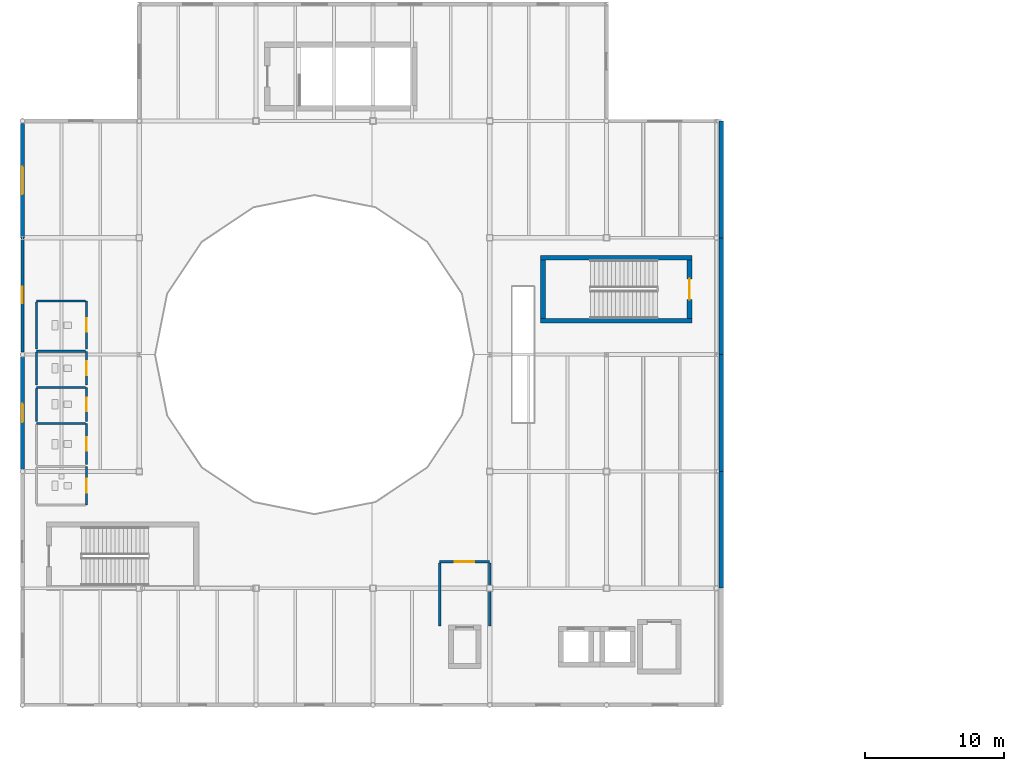
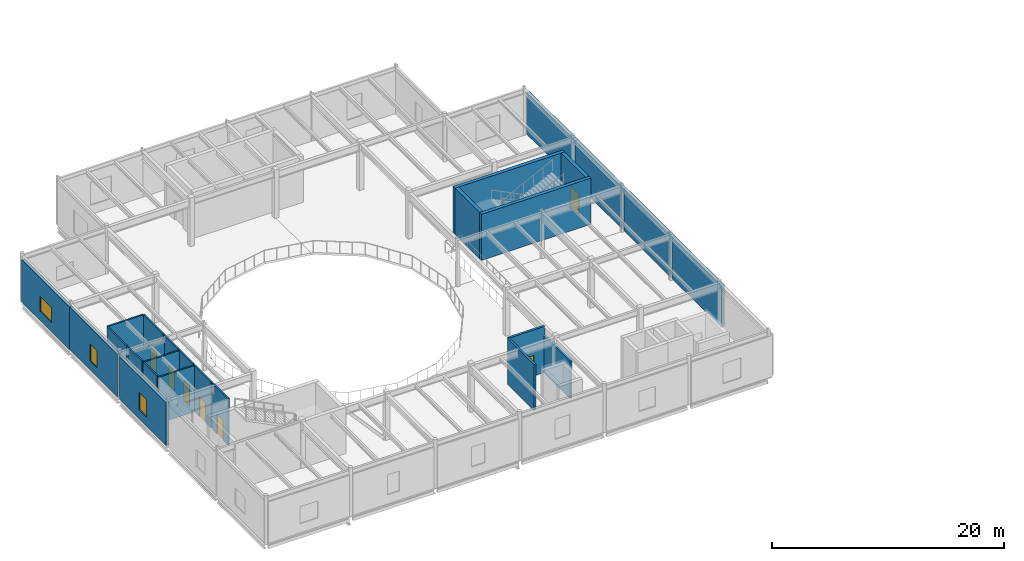
# One storey, part 33 of 57: 26 walls, 7 doors, 3 windows, 10 openings.
"""IFC4 building model written with IfcOpenShell, lengths in metres."""

from ifc_helpers import new_model, si_unit, direction, frame, frame_2d, origin, place, context, subcontext, project, spatial, rectangle, extrude, material, layer, layer_set, type_object, element, fill, save


model = new_model("IFC4")

# Units and contexts
model_context = context("Model", 3, precision=1e-05, world=origin(), true_north=direction((0.0, 1.0)))
body_context = subcontext(model_context, "Body", "Model", "MODEL_VIEW")
ifc_project = project(units=[si_unit("LENGTHUNIT", "METRE"), si_unit("AREAUNIT", "SQUARE_METRE"), si_unit("VOLUMEUNIT", "CUBIC_METRE"), si_unit("PLANEANGLEUNIT", "RADIAN"), si_unit("MASSUNIT", "GRAM", prefix="KILO"), si_unit("THERMODYNAMICTEMPERATUREUNIT", "KELVIN")], contexts=[model_context])

# Site, building, storey
site_placement = place(None, origin())
site = spatial("IfcSite", under=ifc_project, at=site_placement, CompositionType="ELEMENT")
building_placement = place(site_placement, origin())
building = spatial("IfcBuilding", under=site, at=building_placement, Name="Lustrewick Department Store", CompositionType="ELEMENT")
storey_placement = place(building_placement, frame((0.0, 0.0, 26.699951171875)))
storey = spatial("IfcBuildingStorey", under=building, at=storey_placement, Name="L06", CompositionType="ELEMENT", Elevation=26.699951171875)

# Wall, opening, window
ifc_material_1 = material(Name="Precast concrete C40", Category="concrete")
ifc_layer_1 = layer(ifc_material_1, 0.239990234375, Name="Precast concrete C40")
ifc_layer_set_1 = layer_set([ifc_layer_1], Name="Precast concrete C40")
wall_type_1 = type_object("IfcWallType", Name="EW01", PredefinedType="STANDARD", material=ifc_layer_set_1)
wall_1_placement = place(storey_placement, frame((8.39990234375, 75.60009765625, 0.0), z_axis=(0.0, 0.0, 1.0), x_axis=(0.0, -1.0, 0.0)))
wall_1 = element("IfcWall", 1, at=wall_1_placement, inside=storey, type_object=wall_type_1, Name="L06 V1 Exterior Wall EW01", PredefinedType="STANDARD", context=body_context, shape_type="SweptSolid", body=[
    extrude(rectangle(XDim=8.22705078125, YDim=0.239990234375, at=frame_2d((4.113525390625, 0.0))), origin(), (0.0, 0.0, 1.0), 4.487060546875),
])
opening_1_placement = place(wall_1_placement, frame((3.513427734375, 0.0, 0.949951171875)))
opening_1 = element("IfcOpeningElement", 2, at=opening_1_placement, cuts=wall_1, Name="Opening WN01", PredefinedType="OPENING", context=body_context, shape_type="SweptSolid", body=[
    extrude(rectangle(XDim=1.199951171875, YDim=1.800048828125, at=frame_2d((0.60009765625, 0.89990234375))), frame((0.0, 0.1298828125, 0.0), z_axis=(0.0, -1.0, 0.0), x_axis=(1.0, 0.0, 0.0)), (0.0, 0.0, 1.0), 0.260009765625),
])
ifc_material_2 = material(Name="Thermally broken Low-E triple-glazed window", Category="glass")
window_type_1 = type_object("IfcWindowType", Name="WN01", PartitioningType="DOUBLE_PANEL_VERTICAL", PredefinedType="WINDOW", material=ifc_material_2)
window_1_placement = place(opening_1_placement, origin())
window_1 = element("IfcWindow", 3, at=window_1_placement, inside=storey, type_object=window_type_1, Name="L06 Art Nouveau Window WN01", OverallHeight=1.800048828125, OverallWidth=1.199951171875, PartitioningType="SINGLE_PANEL", PredefinedType="WINDOW", context=body_context, shape_type="SweptSolid", body=[
    extrude(rectangle(XDim=1.199951171875, YDim=1.800048828125, at=frame_2d((0.60009765625, 0.89990234375))), frame((0.0, 0.030029296875, 0.0), z_axis=(0.0, -1.0, 0.0), x_axis=(1.0, 0.0, 0.0)), (0.0, 0.0, 1.0), 0.06005859375),
])
fill(opening_1, window_1)

ifc_layer_2 = layer(ifc_material_1, 0.260009765625, Name="Precast concrete C40")
ifc_layer_set_2 = layer_set([ifc_layer_2], Name="Precast concrete C40")
wall_type_2 = type_object("IfcWallType", Name="EW02", PredefinedType="STANDARD", material=ifc_layer_set_2)
wall_2_placement = place(storey_placement, frame((8.39990234375, 67.027099609375, 0.0), z_axis=(0.0, 0.0, 1.0), x_axis=(0.0, -1.0, 0.0)))
wall_2 = element("IfcWall", 4, at=wall_2_placement, inside=storey, type_object=wall_type_2, Name="L06 V1 Exterior Wall EW02", PredefinedType="STANDARD", context=body_context, shape_type="SweptSolid", body=[
    extrude(rectangle(XDim=8.05419921875, YDim=0.260009765625, at=frame_2d((4.027099609375, 0.0))), origin(), (0.0, 0.0, 1.0), 4.487060546875),
])
opening_2_placement = place(wall_2_placement, frame((3.35205078125, 0.0, 0.949951171875)))
opening_2 = element("IfcOpeningElement", 5, at=opening_2_placement, cuts=wall_2, Name="Opening WN02", PredefinedType="OPENING", context=body_context, shape_type="SweptSolid", body=[
    extrude(rectangle(XDim=1.35009765625, YDim=1.800048828125, at=frame_2d((0.675048828125, 0.89990234375))), frame((0.0, 0.14013671875, 0.0), z_axis=(0.0, -1.0, 0.0), x_axis=(1.0, 0.0, 0.0)), (0.0, 0.0, 1.0), 0.280029296875),
])
window_type_2 = type_object("IfcWindowType", Name="WN02", PartitioningType="DOUBLE_PANEL_VERTICAL", PredefinedType="WINDOW", material=ifc_material_2)
window_2_placement = place(opening_2_placement, origin())
window_2 = element("IfcWindow", 6, at=window_2_placement, inside=storey, type_object=window_type_2, Name="L06 Art Nouveau Window WN02", OverallHeight=1.800048828125, OverallWidth=1.35009765625, PartitioningType="SINGLE_PANEL", PredefinedType="WINDOW", context=body_context, shape_type="SweptSolid", body=[
    extrude(rectangle(XDim=1.35009765625, YDim=1.800048828125, at=frame_2d((0.675048828125, 0.89990234375))), frame((0.0, 0.030029296875, 0.0), z_axis=(0.0, -1.0, 0.0), x_axis=(1.0, 0.0, 0.0)), (0.0, 0.0, 1.0), 0.06005859375),
])
fill(opening_2, window_2)

ifc_layer_3 = layer(ifc_material_1, 0.280029296875, Name="Precast concrete C40")
ifc_layer_set_3 = layer_set([ifc_layer_3], Name="Precast concrete C40")
wall_type_3 = type_object("IfcWallType", Name="EW03", PredefinedType="STANDARD", material=ifc_layer_set_3)
wall_3_placement = place(storey_placement, frame((8.39990234375, 83.826904296875, 0.0), z_axis=(0.0, 0.0, 1.0), x_axis=(0.0, -1.0, 0.0)))
wall_3 = element("IfcWall", 7, at=wall_3_placement, inside=storey, type_object=wall_type_3, Name="L06 V1 Exterior Wall EW03", PredefinedType="STANDARD", context=body_context, shape_type="SweptSolid", body=[
    extrude(rectangle(XDim=8.226806640625, YDim=0.280029296875, at=frame_2d((4.11328125, 0.0))), origin(), (0.0, 0.0, 1.0), 4.487060546875),
])
opening_3_placement = place(wall_3_placement, frame((3.113525390625, 0.0, 0.949951171875)))
opening_3 = element("IfcOpeningElement", 8, at=opening_3_placement, cuts=wall_3, Name="Opening WN20", PredefinedType="OPENING", context=body_context, shape_type="SweptSolid", body=[
    extrude(rectangle(XDim=2.0, YDim=1.60009765625, at=frame_2d((1.0, 0.800048828125))), frame((0.0, 0.14990234375, 0.0), z_axis=(0.0, -1.0, 0.0), x_axis=(1.0, 0.0, 0.0)), (0.0, 0.0, 1.0), 0.300048828125),
])
window_type_3 = type_object("IfcWindowType", Name="WN20", PartitioningType="DOUBLE_PANEL_VERTICAL", PredefinedType="WINDOW", material=ifc_material_2)
window_3_placement = place(opening_3_placement, origin())
window_3 = element("IfcWindow", 9, at=window_3_placement, inside=storey, type_object=window_type_3, Name="L06 Art Nouveau Window WN20", OverallHeight=1.60009765625, OverallWidth=2.0, PartitioningType="SINGLE_PANEL", PredefinedType="WINDOW", context=body_context, shape_type="SweptSolid", body=[
    extrude(rectangle(XDim=2.0, YDim=1.60009765625, at=frame_2d((1.0, 0.800048828125))), frame((0.0, 0.030029296875, 0.0), z_axis=(0.0, -1.0, 0.0), x_axis=(1.0, 0.0, 0.0)), (0.0, 0.0, 1.0), 0.06005859375),
])
fill(opening_3, window_3)

# Walls
ifc_layer_4 = layer(ifc_material_1, 0.300048828125, Name="Precast concrete C40")
ifc_layer_set_4 = layer_set([ifc_layer_4], Name="Precast concrete C40")
wall_type_4 = type_object("IfcWallType", Name="EW04", PredefinedType="STANDARD", material=ifc_layer_set_4)
wall_4_placement = place(storey_placement, frame((58.64990234375, 50.39990234375, 0.0), z_axis=(0.0, 0.0, 1.0), x_axis=(0.0, 1.0, 0.0)))
element("IfcWall", 10, at=wall_4_placement, inside=storey, type_object=wall_type_4, Name="L06 V1 Exterior Wall EW04", PredefinedType="STANDARD", context=body_context, shape_type="SweptSolid", body=[
    extrude(rectangle(XDim=8.400146484375, YDim=0.300048828125, at=frame_2d((4.2001953125, 0.0))), origin(), (0.0, 0.0, 1.0), 4.39697265625),
])
wall_5_placement = place(storey_placement, frame((58.64990234375, 58.800048828125, 0.0), z_axis=(0.0, 0.0, 1.0), x_axis=(0.0, 1.0, 0.0)))
element("IfcWall", 11, at=wall_5_placement, inside=storey, type_object=wall_type_4, Name="L06 V1 Exterior Wall EW04", PredefinedType="STANDARD", context=body_context, shape_type="SweptSolid", body=[
    extrude(rectangle(XDim=8.39990234375, YDim=0.300048828125, at=frame_2d((4.199951171875, 0.0))), origin(), (0.0, 0.0, 1.0), 4.39697265625),
])
wall_6_placement = place(storey_placement, frame((58.64990234375, 67.199951171875, 0.0), z_axis=(0.0, 0.0, 1.0), x_axis=(0.0, 1.0, 0.0)))
element("IfcWall", 12, at=wall_6_placement, inside=storey, type_object=wall_type_4, Name="L06 V1 Exterior Wall EW04", PredefinedType="STANDARD", context=body_context, shape_type="SweptSolid", body=[
    extrude(rectangle(XDim=8.400146484375, YDim=0.300048828125, at=frame_2d((4.2001953125, 0.0))), origin(), (0.0, 0.0, 1.0), 4.39697265625),
])
wall_7_placement = place(storey_placement, frame((58.64990234375, 75.60009765625, 0.0), z_axis=(0.0, 0.0, 1.0), x_axis=(0.0, 1.0, 0.0)))
element("IfcWall", 13, at=wall_7_placement, inside=storey, type_object=wall_type_4, Name="L06 V1 Exterior Wall EW04", PredefinedType="STANDARD", context=body_context, shape_type="SweptSolid", body=[
    extrude(rectangle(XDim=8.39990234375, YDim=0.300048828125, at=frame_2d((4.199951171875, 0.0))), origin(), (0.0, 0.0, 1.0), 4.39697265625),
])

# Wall, opening, door
ifc_material_3 = material(Name="Autoclaved aerated concrete blockwork and fire board", Category="masonry")
ifc_layer_5 = layer(ifc_material_3, 0.205078125, Name="Autoclaved aerated concrete blockwork and fire board")
ifc_layer_set_5 = layer_set([ifc_layer_5], Name="Autoclaved aerated concrete blockwork and fire board")
wall_type_5 = type_object("IfcWallType", Name="PW02", PredefinedType="PARTITIONING", material=ifc_layer_set_5)
wall_8_placement = place(storey_placement, frame((42.0, 52.300048828125, 0.0), z_axis=(0.0, 0.0, 1.0), x_axis=(-1.0, 0.0, 0.0)))
wall_8 = element("IfcWall", 14, at=wall_8_placement, inside=storey, type_object=wall_type_5, Name="L06 Firefighting Lift Lobby FFL-01 PW02", PredefinedType="PARTITIONING", context=body_context, shape_type="SweptSolid", body=[
    extrude(rectangle(XDim=3.60009765625, YDim=0.205078125, at=frame_2d((1.800048828125, 0.0))), origin(), (0.0, 0.0, 1.0), 4.844970703125),
])
opening_4_placement = place(wall_8_placement, frame((1.10009765625, 0.0, 0.0)))
opening_4 = element("IfcOpeningElement", 15, at=opening_4_placement, cuts=wall_8, Name="Opening D-L06-041", PredefinedType="OPENING", context=body_context, shape_type="SweptSolid", body=[
    extrude(rectangle(XDim=1.39990234375, YDim=2.14990234375, at=frame_2d((0.699951171875, 1.074951171875))), frame((0.0, 0.112548828125, 0.0), z_axis=(0.0, -1.0, 0.0), x_axis=(1.0, 0.0, 0.0)), (0.0, 0.0, 1.0), 0.22509765625),
])
ifc_material_4 = material(Name="Steel fire door Class B EI 60", Category="steel")
door_type_1 = type_object("IfcDoorType", Name="DT-08", OperationType="NOTDEFINED", PredefinedType="DOOR", material=ifc_material_4)
door_1_placement = place(opening_4_placement, origin())
door_1 = element("IfcDoor", 16, at=door_1_placement, inside=storey, type_object=door_type_1, Name="L06 Firefighting Lift Lobby FFL-01 Door D-L06-041", OperationType="SINGLE_SWING_RIGHT", OverallHeight=2.14990234375, OverallWidth=1.39990234375, PredefinedType="DOOR", context=body_context, shape_type="SweptSolid", body=[
    extrude(rectangle(XDim=1.39990234375, YDim=2.14990234375, at=frame_2d((0.699951171875, 1.074951171875))), frame((0.0, 0.02490234375, 0.0), z_axis=(0.0, -1.0, 0.0), x_axis=(1.0, 0.0, 0.0)), (0.0, 0.0, 1.0), 0.050048828125),
])
fill(opening_4, door_1)

# Walls
wall_9_placement = place(storey_placement, frame((42.0, 47.699951171875, 0.0), z_axis=(0.0, 0.0, 1.0), x_axis=(0.0, 1.0, 0.0)))
element("IfcWall", 17, at=wall_9_placement, inside=storey, type_object=wall_type_5, Name="L06 Firefighting Lift Lobby FFL-01 PW02", PredefinedType="PARTITIONING", context=body_context, shape_type="SweptSolid", body=[
    extrude(rectangle(XDim=4.50244140625, YDim=0.205078125, at=frame_2d((2.251220703125, 0.0))), origin(), (0.0, 0.0, 1.0), 3.93701171875),
])
wall_10_placement = place(storey_placement, frame((38.39990234375, 52.202392578125, 0.0), z_axis=(0.0, 0.0, 1.0), x_axis=(0.0, -1.0, 0.0)))
element("IfcWall", 18, at=wall_10_placement, inside=storey, type_object=wall_type_5, Name="L06 Firefighting Lift Lobby FFL-01 PW02", PredefinedType="PARTITIONING", context=body_context, shape_type="SweptSolid", body=[
    extrude(rectangle(XDim=4.50244140625, YDim=0.205078125, at=frame_2d((2.251220703125, 0.0))), origin(), (0.0, 0.0, 1.0), 4.844970703125),
])

# Wall, opening, door
ifc_material_5 = material(Name="Moisture-resistant cement board sanitary partition", Category="gypsum")
ifc_layer_6 = layer(ifc_material_5, 0.14990234375, Name="Moisture-resistant cement board sanitary partition")
ifc_layer_set_6 = layer_set([ifc_layer_6], Name="Moisture-resistant cement board sanitary partition")
wall_type_6 = type_object("IfcWallType", Name="PW05", PredefinedType="PARTITIONING", material=ifc_layer_set_6)
wall_11_placement = place(storey_placement, frame((13.0, 56.39990234375, 0.0), z_axis=(0.0, 0.0, 1.0), x_axis=(0.0, 1.0, 0.0)))
wall_11 = element("IfcWall", 19, at=wall_11_placement, inside=storey, type_object=wall_type_6, Name="L06 Male Public WC PW05", PredefinedType="PARTITIONING", context=body_context, shape_type="SweptSolid", body=[
    extrude(rectangle(XDim=2.739990234375, YDim=0.14990234375, at=frame_2d((1.3701171875, 0.0))), origin(), (0.0, 0.0, 1.0), 4.844970703125),
])
opening_5_placement = place(wall_11_placement, frame((0.8701171875, 0.0, 0.0)))
opening_5 = element("IfcOpeningElement", 20, at=opening_5_placement, cuts=wall_11, Name="Opening D-L06-042", PredefinedType="OPENING", context=body_context, shape_type="SweptSolid", body=[
    extrude(rectangle(XDim=1.0, YDim=2.10009765625, at=frame_2d((0.5, 1.050048828125))), frame((0.0, 0.0849609375, 0.0), z_axis=(0.0, -1.0, 0.0), x_axis=(1.0, 0.0, 0.0)), (0.0, 0.0, 1.0), 0.169921875),
])
ifc_material_6 = material(Name="Moisture-resistant laminate sanitary door", Category="steel")
door_type_2 = type_object("IfcDoorType", Name="DT-11", OperationType="NOTDEFINED", PredefinedType="DOOR", material=ifc_material_6)
door_2_placement = place(opening_5_placement, origin())
door_2 = element("IfcDoor", 21, at=door_2_placement, inside=storey, type_object=door_type_2, Name="L06 Male Public WC Door D-L06-042", OperationType="SINGLE_SWING_LEFT", OverallHeight=2.10009765625, OverallWidth=1.0, PredefinedType="DOOR", context=body_context, shape_type="SweptSolid", body=[
    extrude(rectangle(XDim=1.0, YDim=2.10009765625, at=frame_2d((0.5, 1.050048828125))), frame((0.0, 0.02490234375, 0.0), z_axis=(0.0, -1.0, 0.0), x_axis=(1.0, 0.0, 0.0)), (0.0, 0.0, 1.0), 0.050048828125),
])
fill(opening_5, door_2)

wall_12_placement = place(storey_placement, frame((13.0, 59.300048828125, 0.0), z_axis=(0.0, 0.0, 1.0), x_axis=(0.0, 1.0, 0.0)))
wall_12 = element("IfcWall", 22, at=wall_12_placement, inside=storey, type_object=wall_type_6, Name="L06 Female Public WC PW05", PredefinedType="PARTITIONING", context=body_context, shape_type="SweptSolid", body=[
    extrude(rectangle(XDim=2.93994140625, YDim=0.14990234375, at=frame_2d((1.469970703125, 0.0))), origin(), (0.0, 0.0, 1.0), 4.844970703125),
])
opening_6_placement = place(wall_12_placement, frame((0.969970703125, 0.0, 0.0)))
opening_6 = element("IfcOpeningElement", 23, at=opening_6_placement, cuts=wall_12, Name="Opening D-L06-043", PredefinedType="OPENING", context=body_context, shape_type="SweptSolid", body=[
    extrude(rectangle(XDim=1.0, YDim=2.10009765625, at=frame_2d((0.5, 1.050048828125))), frame((0.0, 0.0849609375, 0.0), z_axis=(0.0, -1.0, 0.0), x_axis=(1.0, 0.0, 0.0)), (0.0, 0.0, 1.0), 0.169921875),
])
door_3_placement = place(opening_6_placement, origin())
door_3 = element("IfcDoor", 24, at=door_3_placement, inside=storey, type_object=door_type_2, Name="L06 Female Public WC Door D-L06-043", OperationType="SINGLE_SWING_RIGHT", OverallHeight=2.10009765625, OverallWidth=1.0, PredefinedType="DOOR", context=body_context, shape_type="SweptSolid", body=[
    extrude(rectangle(XDim=1.0, YDim=2.10009765625, at=frame_2d((0.5, 1.050048828125))), frame((0.0, 0.02490234375, 0.0), z_axis=(0.0, -1.0, 0.0), x_axis=(1.0, 0.0, 0.0)), (0.0, 0.0, 1.0), 0.050048828125),
])
fill(opening_6, door_3)

# Wall
wall_13_placement = place(storey_placement, frame((12.929931640625, 62.239990234375, 0.0), z_axis=(0.0, 0.0, 1.0), x_axis=(-1.0, 0.0, 0.0)))
element("IfcWall", 25, at=wall_13_placement, inside=storey, type_object=wall_type_6, Name="L06 Female Public WC PW05", PredefinedType="PARTITIONING", context=body_context, shape_type="SweptSolid", body=[
    extrude(rectangle(XDim=3.530029296875, YDim=0.14990234375, at=frame_2d((1.76513671875, 0.0))), origin(), (0.0, 0.0, 1.0), 4.844970703125),
])

# Wall, opening, door
wall_14_placement = place(storey_placement, frame((13.0, 62.39990234375, 0.0), z_axis=(0.0, 0.0, 1.0), x_axis=(0.0, 1.0, 0.0)))
wall_14 = element("IfcWall", 26, at=wall_14_placement, inside=storey, type_object=wall_type_6, Name="L06 Accessible WC PW05", PredefinedType="PARTITIONING", context=body_context, shape_type="SweptSolid", body=[
    extrude(rectangle(XDim=2.440185546875, YDim=0.14990234375, at=frame_2d((1.22021484375, 0.0))), origin(), (0.0, 0.0, 1.0), 4.844970703125),
])
opening_7_placement = place(wall_14_placement, frame((0.72998046875, 0.0, 0.0)))
opening_7 = element("IfcOpeningElement", 27, at=opening_7_placement, cuts=wall_14, Name="Opening D-L06-044", PredefinedType="OPENING", context=body_context, shape_type="SweptSolid", body=[
    extrude(rectangle(XDim=0.97998046875, YDim=2.10009765625, at=frame_2d((0.489990234375, 1.050048828125))), frame((0.0, 0.0849609375, 0.0), z_axis=(0.0, -1.0, 0.0), x_axis=(1.0, 0.0, 0.0)), (0.0, 0.0, 1.0), 0.169921875),
])
ifc_material_7 = material(Name="Barrier-free accessible sanitary door", Category="steel")
door_type_3 = type_object("IfcDoorType", Name="DT-12", OperationType="NOTDEFINED", PredefinedType="DOOR", material=ifc_material_7)
door_4_placement = place(opening_7_placement, origin())
door_4 = element("IfcDoor", 28, at=door_4_placement, inside=storey, type_object=door_type_3, Name="L06 Accessible WC Door D-L06-044", OperationType="SINGLE_SWING_LEFT", OverallHeight=2.10009765625, OverallWidth=0.97998046875, PredefinedType="DOOR", context=body_context, shape_type="SweptSolid", body=[
    extrude(rectangle(XDim=0.97998046875, YDim=2.10009765625, at=frame_2d((0.489990234375, 1.050048828125))), frame((0.0, 0.02490234375, 0.0), z_axis=(0.0, -1.0, 0.0), x_axis=(1.0, 0.0, 0.0)), (0.0, 0.0, 1.0), 0.050048828125),
])
fill(opening_7, door_4)

# Walls
wall_15_placement = place(storey_placement, frame((12.929931640625, 64.840087890625, 0.0), z_axis=(0.0, 0.0, 1.0), x_axis=(-1.0, 0.0, 0.0)))
element("IfcWall", 29, at=wall_15_placement, inside=storey, type_object=wall_type_6, Name="L06 Accessible WC PW05", PredefinedType="PARTITIONING", context=body_context, shape_type="SweptSolid", body=[
    extrude(rectangle(XDim=3.530029296875, YDim=0.14990234375, at=frame_2d((1.76513671875, 0.0))), origin(), (0.0, 0.0, 1.0), 4.844970703125),
])
wall_16_placement = place(storey_placement, frame((9.39990234375, 64.77001953125, 0.0), z_axis=(0.0, 0.0, 1.0), x_axis=(0.0, -1.0, 0.0)))
element("IfcWall", 30, at=wall_16_placement, inside=storey, type_object=wall_type_6, Name="L06 Accessible WC PW05", PredefinedType="PARTITIONING", context=body_context, shape_type="SweptSolid", body=[
    extrude(rectangle(XDim=2.3701171875, YDim=0.14990234375, at=frame_2d((1.18505859375, 0.0))), origin(), (0.0, 0.0, 1.0), 4.844970703125),
])

# Wall, opening, door
wall_17_placement = place(storey_placement, frame((13.0, 65.0, 0.0), z_axis=(0.0, 0.0, 1.0), x_axis=(0.0, 1.0, 0.0)))
wall_17 = element("IfcWall", 31, at=wall_17_placement, inside=storey, type_object=wall_type_6, Name="L06 Staff WC PW05", PredefinedType="PARTITIONING", context=body_context, shape_type="SweptSolid", body=[
    extrude(rectangle(XDim=2.43994140625, YDim=0.14990234375, at=frame_2d((1.219970703125, 0.0))), origin(), (0.0, 0.0, 1.0), 4.844970703125),
])
opening_8_placement = place(wall_17_placement, frame((0.719970703125, 0.0, 0.0)))
opening_8 = element("IfcOpeningElement", 32, at=opening_8_placement, cuts=wall_17, Name="Opening D-L06-045", PredefinedType="OPENING", context=body_context, shape_type="SweptSolid", body=[
    extrude(rectangle(XDim=1.0, YDim=2.10009765625, at=frame_2d((0.5, 1.050048828125))), frame((0.0, 0.0849609375, 0.0), z_axis=(0.0, -1.0, 0.0), x_axis=(1.0, 0.0, 0.0)), (0.0, 0.0, 1.0), 0.169921875),
])
door_5_placement = place(opening_8_placement, origin())
door_5 = element("IfcDoor", 33, at=door_5_placement, inside=storey, type_object=door_type_2, Name="L06 Staff WC Door D-L06-045", OperationType="SINGLE_SWING_RIGHT", OverallHeight=2.10009765625, OverallWidth=1.0, PredefinedType="DOOR", context=body_context, shape_type="SweptSolid", body=[
    extrude(rectangle(XDim=1.0, YDim=2.10009765625, at=frame_2d((0.5, 1.050048828125))), frame((0.0, 0.02490234375, 0.0), z_axis=(0.0, -1.0, 0.0), x_axis=(1.0, 0.0, 0.0)), (0.0, 0.0, 1.0), 0.050048828125),
])
fill(opening_8, door_5)

# Walls
wall_18_placement = place(storey_placement, frame((12.929931640625, 67.43994140625, 0.0), z_axis=(0.0, 0.0, 1.0), x_axis=(-1.0, 0.0, 0.0)))
element("IfcWall", 34, at=wall_18_placement, inside=storey, type_object=wall_type_6, Name="L06 Staff WC PW05", PredefinedType="PARTITIONING", context=body_context, shape_type="SweptSolid", body=[
    extrude(rectangle(XDim=3.530029296875, YDim=0.14990234375, at=frame_2d((1.76513671875, 0.0))), origin(), (0.0, 0.0, 1.0), 4.240966796875),
])
wall_19_placement = place(storey_placement, frame((9.39990234375, 67.3701171875, 0.0), z_axis=(0.0, 0.0, 1.0), x_axis=(0.0, -1.0, 0.0)))
element("IfcWall", 35, at=wall_19_placement, inside=storey, type_object=wall_type_6, Name="L06 Staff WC PW05", PredefinedType="PARTITIONING", context=body_context, shape_type="SweptSolid", body=[
    extrude(rectangle(XDim=2.3701171875, YDim=0.14990234375, at=frame_2d((1.18505859375, 0.0))), origin(), (0.0, 0.0, 1.0), 4.844970703125),
])

# Wall, opening, door
wall_20_placement = place(storey_placement, frame((13.0, 67.60009765625, 0.0), z_axis=(0.0, 0.0, 1.0), x_axis=(0.0, 1.0, 0.0)))
wall_20 = element("IfcWall", 36, at=wall_20_placement, inside=storey, type_object=wall_type_6, Name="L06 Nursery Room PW05", PredefinedType="PARTITIONING", context=body_context, shape_type="SweptSolid", body=[
    extrude(rectangle(XDim=3.43994140625, YDim=0.14990234375, at=frame_2d((1.719970703125, 0.0))), origin(), (0.0, 0.0, 1.0), 4.844970703125),
])
opening_9_placement = place(wall_20_placement, frame((1.22998046875, 0.0, 0.0)))
opening_9 = element("IfcOpeningElement", 37, at=opening_9_placement, cuts=wall_20, Name="Opening D-L06-046", PredefinedType="OPENING", context=body_context, shape_type="SweptSolid", body=[
    extrude(rectangle(XDim=0.97998046875, YDim=2.10009765625, at=frame_2d((0.489990234375, 1.050048828125))), frame((0.0, 0.0849609375, 0.0), z_axis=(0.0, -1.0, 0.0), x_axis=(1.0, 0.0, 0.0)), (0.0, 0.0, 1.0), 0.169921875),
])
door_6_placement = place(opening_9_placement, origin())
door_6 = element("IfcDoor", 38, at=door_6_placement, inside=storey, type_object=door_type_3, Name="L06 Nursery Room Door D-L06-046", OperationType="SINGLE_SWING_LEFT", OverallHeight=2.10009765625, OverallWidth=0.97998046875, PredefinedType="DOOR", context=body_context, shape_type="SweptSolid", body=[
    extrude(rectangle(XDim=0.97998046875, YDim=2.10009765625, at=frame_2d((0.489990234375, 1.050048828125))), frame((0.0, 0.02490234375, 0.0), z_axis=(0.0, -1.0, 0.0), x_axis=(1.0, 0.0, 0.0)), (0.0, 0.0, 1.0), 0.050048828125),
])
fill(opening_9, door_6)

# Walls
wall_21_placement = place(storey_placement, frame((12.929931640625, 71.0400390625, 0.0), z_axis=(0.0, 0.0, 1.0), x_axis=(-1.0, 0.0, 0.0)))
element("IfcWall", 39, at=wall_21_placement, inside=storey, type_object=wall_type_6, Name="L06 Nursery Room PW05", PredefinedType="PARTITIONING", context=body_context, shape_type="SweptSolid", body=[
    extrude(rectangle(XDim=3.530029296875, YDim=0.14990234375, at=frame_2d((1.76513671875, 0.0))), origin(), (0.0, 0.0, 1.0), 4.844970703125),
])
wall_22_placement = place(storey_placement, frame((9.39990234375, 70.969970703125, 0.0), z_axis=(0.0, 0.0, 1.0), x_axis=(0.0, -1.0, 0.0)))
element("IfcWall", 40, at=wall_22_placement, inside=storey, type_object=wall_type_6, Name="L06 Nursery Room PW05", PredefinedType="PARTITIONING", context=body_context, shape_type="SweptSolid", body=[
    extrude(rectangle(XDim=3.369873046875, YDim=0.14990234375, at=frame_2d((1.68505859375, 0.0))), origin(), (0.0, 0.0, 1.0), 4.844970703125),
])
ifc_material_8 = material(Name="Concrete C40", Category="concrete")
ifc_layer_7 = layer(ifc_material_8, 0.340087890625, Name="Concrete C40")
ifc_layer_set_7 = layer_set([ifc_layer_7], Name="Concrete C40")
wall_type_7 = type_object("IfcWallType", Name="SW05", PredefinedType="SHEAR", material=ifc_layer_set_7)
wall_23_placement = place(storey_placement, frame((45.659912109375, 69.6298828125, 0.0), z_axis=(0.0, 0.0, 1.0), x_axis=(1.0, 0.0, 0.0)))
element("IfcWall", 41, at=wall_23_placement, inside=storey, type_object=wall_type_7, Name="L06 Stair Core ST02 Shear Wall S", PredefinedType="SHEAR", context=body_context, shape_type="SweptSolid", body=[
    extrude(rectangle(XDim=10.880126953125, YDim=0.340087890625, at=frame_2d((5.43994140625, 0.0))), origin(), (0.0, 0.0, 1.0), 4.844970703125),
])

# Wall, opening, door
wall_24_placement = place(storey_placement, frame((56.3701171875, 69.800048828125, 0.0), z_axis=(0.0, 0.0, 1.0), x_axis=(0.0, 1.0, 0.0)))
wall_24 = element("IfcWall", 42, at=wall_24_placement, inside=storey, type_object=wall_type_7, Name="L06 Stair Core ST02 Shear Wall E", PredefinedType="SHEAR", context=body_context, shape_type="SweptSolid", body=[
    extrude(rectangle(XDim=4.199951171875, YDim=0.340087890625, at=frame_2d((2.10009765625, 0.0))), origin(), (0.0, 0.0, 1.0), 4.844970703125),
])
opening_10_placement = place(wall_24_placement, frame((1.35009765625, 0.0, 0.0)))
opening_10 = element("IfcOpeningElement", 43, at=opening_10_placement, cuts=wall_24, Name="Opening D-L06-002", PredefinedType="OPENING", context=body_context, shape_type="SweptSolid", body=[
    extrude(rectangle(XDim=1.5, YDim=2.14990234375, at=frame_2d((0.75, 1.074951171875))), frame((0.0, 0.18017578125, 0.0), z_axis=(0.0, -1.0, 0.0), x_axis=(1.0, 0.0, 0.0)), (0.0, 0.0, 1.0), 0.360107421875),
])
door_type_4 = type_object("IfcDoorType", Name="DT-07", OperationType="NOTDEFINED", PredefinedType="DOOR", material=ifc_material_4)
door_7_placement = place(opening_10_placement, origin())
door_7 = element("IfcDoor", 44, at=door_7_placement, inside=storey, type_object=door_type_4, Name="L06 Smoke-Proof Stair ST02 Fire Door", OperationType="SINGLE_SWING_LEFT", OverallHeight=2.14990234375, OverallWidth=1.5, PredefinedType="DOOR", context=body_context, shape_type="SweptSolid", body=[
    extrude(rectangle(XDim=1.5, YDim=2.14990234375, at=frame_2d((0.75, 1.074951171875))), frame((0.0, 0.02490234375, 0.0), z_axis=(0.0, -1.0, 0.0), x_axis=(1.0, 0.0, 0.0)), (0.0, 0.0, 1.0), 0.050048828125),
])
fill(opening_10, door_7)

# Walls
wall_25_placement = place(storey_placement, frame((56.5400390625, 74.169921875, 0.0), z_axis=(0.0, 0.0, 1.0), x_axis=(-1.0, 0.0, 0.0)))
element("IfcWall", 45, at=wall_25_placement, inside=storey, type_object=wall_type_7, Name="L06 Stair Core ST02 Shear Wall N", PredefinedType="SHEAR", context=body_context, shape_type="SweptSolid", body=[
    extrude(rectangle(XDim=10.880126953125, YDim=0.340087890625, at=frame_2d((5.43994140625, 0.0))), origin(), (0.0, 0.0, 1.0), 4.844970703125),
])
wall_26_placement = place(storey_placement, frame((45.830078125, 74.0, 0.0), z_axis=(0.0, 0.0, 1.0), x_axis=(0.0, -1.0, 0.0)))
element("IfcWall", 46, at=wall_26_placement, inside=storey, type_object=wall_type_7, Name="L06 Stair Core ST02 Shear Wall W", PredefinedType="SHEAR", context=body_context, shape_type="SweptSolid", body=[
    extrude(rectangle(XDim=4.199951171875, YDim=0.340087890625, at=frame_2d((2.10009765625, 0.0))), origin(), (0.0, 0.0, 1.0), 4.844970703125),
])

save(model, "model.ifc")
